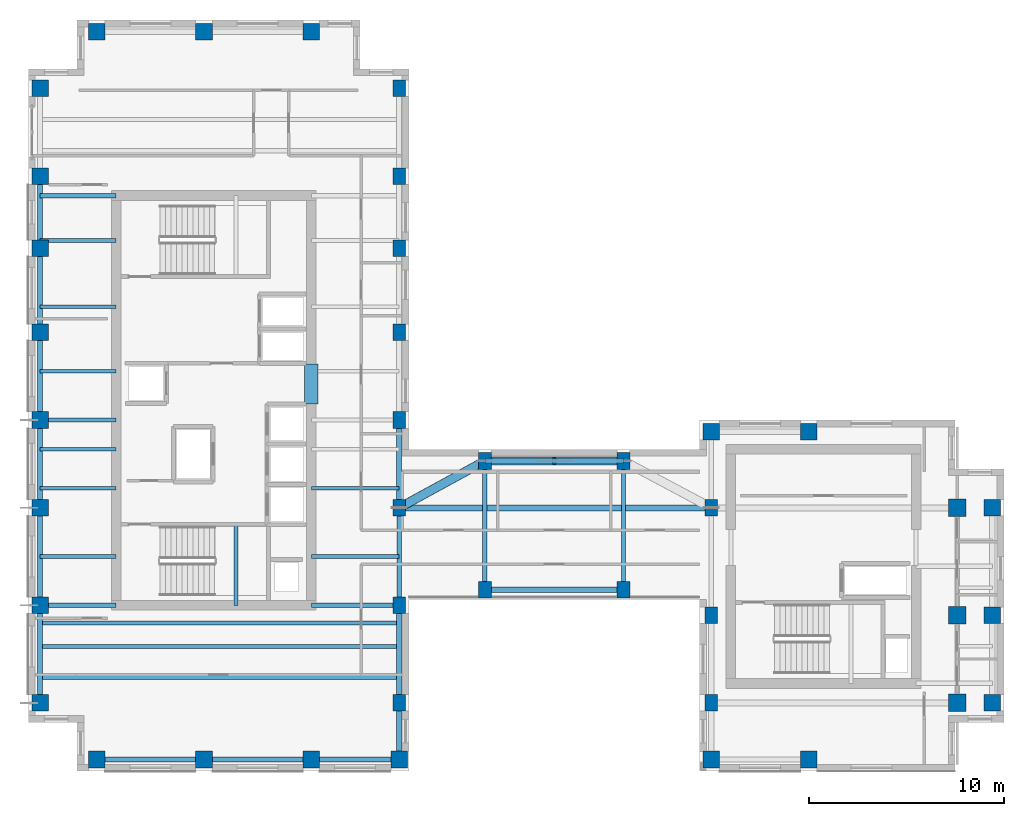
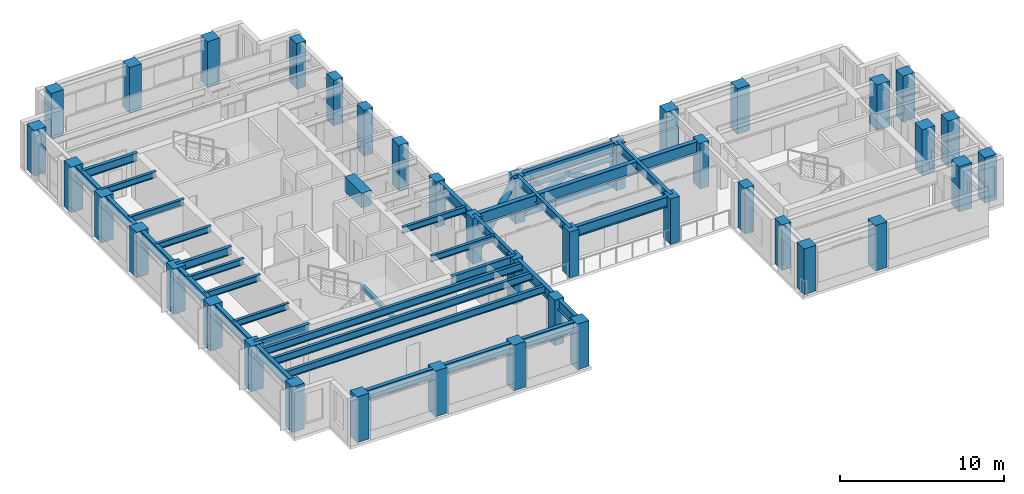
# One storey, part 1 of 13: 40 columns, 35 beams, 5 members.
"""IFC4 building model written with IfcOpenShell, lengths in metres."""

from ifc_helpers import new_model, si_unit, direction, frame, origin, origin_2d, place, context, subcontext, project, spatial, rectangle, hollow_circle, i_section, extrude, source, transform, mapped, material, material_profile, profile_set, type_object, element, save


model = new_model("IFC4")

# Units and contexts
model_context = context("Model", 3, precision=1e-05, world=origin(), true_north=direction((0.0, 1.0)))
body_context = subcontext(model_context, "Body", "Model", "MODEL_VIEW")
ifc_project = project(units=[si_unit("LENGTHUNIT", "METRE"), si_unit("AREAUNIT", "SQUARE_METRE"), si_unit("VOLUMEUNIT", "CUBIC_METRE"), si_unit("PLANEANGLEUNIT", "RADIAN"), si_unit("MASSUNIT", "GRAM", prefix="KILO")], contexts=[model_context])

# Site, building, storey
site_placement = place(None, origin())
site = spatial("IfcSite", under=ifc_project, at=site_placement, CompositionType="ELEMENT")
building_placement = place(site_placement, origin())
building = spatial("IfcBuilding", under=site, at=building_placement, Name="Kharzan Plaza Tower", CompositionType="ELEMENT")
storey_placement = place(building_placement, frame((0.0, 0.0, 244.800048828125)))
storey = spatial("IfcBuildingStorey", under=building, at=storey_placement, Name="L66", CompositionType="ELEMENT", Elevation=244.800048828125)

# Columns
ifc_material_1 = material(Name="Concrete C50/60", Category="concrete")
ifc_material_profile_1 = material_profile(ifc_material_1, rectangle(XDim=0.89990234375, YDim=0.89990234375, at=origin_2d()), Name="RC-IC900x900")
ifc_profile_set_1 = profile_set([ifc_material_profile_1], Name="Concrete C50/60")
column_type_1 = type_object("IfcColumnType", Name="COL-IC900", PredefinedType="COLUMN", material=ifc_profile_set_1)
shared_shape_1 = source(origin(), body_context, "Body", "SweptSolid", [
    extrude(rectangle(XDim=0.89990234375, YDim=0.89990234375, at=origin_2d()), origin(), (0.0, 0.0, 1.0), 3.39990234375),
])
for number, where, z_axis, x_axis, name in (
    (1, (47.60009765625, 13.5, 0.0), (0.0, 0.0, 1.0), (1.0, 0.0, 0.0), "L66 Structural Column TCBI-135"),
    (2, (47.60009765625, 3.5, 0.0), (0.0, 0.0, 1.0), (1.0, 0.0, 0.0), "L66 Structural Column TCBI-35"),
    (3, (47.60009765625, 8.0, 0.0), (0.0, 0.0, 1.0), (1.0, 0.0, 0.0), "L66 Structural Column TCBI-80"),
):
    element("IfcColumn", number, at=place(storey_placement, frame(where, z_axis=z_axis, x_axis=x_axis)), inside=storey, type_object=column_type_1, Name=name, PredefinedType="COLUMN", context=body_context, shape_type="MappedRepresentation", body=[
        mapped(shared_shape_1, transform((0.0, 0.0, 0.0), x_axis=(1.0, 0.0, 0.0), y_axis=(0.0, 1.0, 0.0), z_axis=(0.0, 0.0, 1.0))),
    ])
ifc_material_profile_2 = material_profile(ifc_material_1, rectangle(XDim=0.64990234375, YDim=0.85009765625, at=origin_2d()), Name="RC-SC850x650")
ifc_profile_set_2 = profile_set([ifc_material_profile_2], Name="Concrete C50/60")
column_type_2 = type_object("IfcColumnType", Name="COL-SC850", PredefinedType="COLUMN", material=ifc_profile_set_2)
shared_shape_2 = source(origin(), body_context, "Body", "SweptSolid", [
    extrude(rectangle(XDim=0.64990234375, YDim=0.85009765625, at=origin_2d()), origin(), (0.0, 0.0, 1.0), 3.39990234375),
])
for number, where, z_axis, x_axis, name in (
    (4, (19.0, 13.5, 0.0), (0.0, 0.0, 1.0), (1.0, 0.0, 0.0), "L66 Structural Column TCA-135"),
    (5, (19.0, 18.0, 0.0), (0.0, 0.0, 1.0), (1.0, 0.0, 0.0), "L66 Structural Column TCA-180"),
    (6, (19.0, 22.5, 0.0), (0.0, 0.0, 1.0), (1.0, 0.0, 0.0), "L66 Structural Column TCA-225"),
    (7, (19.0, 26.800048828125, 0.0), (0.0, 0.0, 1.0), (1.0, 0.0, 0.0), "L66 Structural Column TCA-268"),
    (8, (19.0, 30.5, 0.0), (0.0, 0.0, 1.0), (1.0, 0.0, 0.0), "L66 Structural Column TCA-305"),
    (9, (19.0, 3.5, 0.0), (0.0, 0.0, 1.0), (1.0, 0.0, 0.0), "L66 Structural Column TCA-35"),
    (10, (19.0, 35.0, 0.0), (0.0, 0.0, 1.0), (1.0, 0.0, 0.0), "L66 Structural Column TCA-350"),
    (11, (19.0, 8.5, 0.0), (0.0, 0.0, 1.0), (1.0, 0.0, 0.0), "L66 Structural Column TCA-85"),
    (12, (35.0, 13.5, 0.0), (0.0, 0.0, 1.0), (1.0, 0.0, 0.0), "L66 Structural Column TCBS-135"),
    (13, (35.0, 3.5, 0.0), (0.0, 0.0, 1.0), (1.0, 0.0, 0.0), "L66 Structural Column TCBS-35"),
    (14, (35.0, 8.0, 0.0), (0.0, 0.0, 1.0), (1.0, 0.0, 0.0), "L66 Structural Column TCBS-80"),
    (15, (23.39990234375, 15.89990234375, 0.0), (0.0, 0.0, 1.0), (1.0, 0.0, 0.0), "L66 Structural Column TCSP-234-159"),
    (16, (23.39990234375, 9.300048828125, 0.0), (0.0, 0.0, 1.0), (1.0, 0.0, 0.0), "L66 Structural Column TCSP-234-93"),
    (17, (30.5, 15.89990234375, 0.0), (0.0, 0.0, 1.0), (1.0, 0.0, 0.0), "L66 Structural Column TCSP-305-159"),
    (18, (30.5, 9.300048828125, 0.0), (0.0, 0.0, 1.0), (1.0, 0.0, 0.0), "L66 Structural Column TCSP-305-93"),
):
    element("IfcColumn", number, at=place(storey_placement, frame(where, z_axis=z_axis, x_axis=x_axis)), inside=storey, type_object=column_type_2, Name=name, PredefinedType="COLUMN", context=body_context, shape_type="MappedRepresentation", body=[
        mapped(shared_shape_2, transform((0.0, 0.0, 0.0), x_axis=(1.0, 0.0, 0.0), y_axis=(0.0, 1.0, 0.0), z_axis=(0.0, 0.0, 1.0))),
    ])
ifc_material_profile_3 = material_profile(ifc_material_1, rectangle(XDim=0.85009765625, YDim=0.85009765625, at=origin_2d()), Name="RC-TC850x850")
ifc_profile_set_3 = profile_set([ifc_material_profile_3], Name="Concrete C50/60")
column_type_3 = type_object("IfcColumnType", Name="COL-TC850", PredefinedType="COLUMN", material=ifc_profile_set_3)
shared_shape_3 = source(origin(), body_context, "Body", "SweptSolid", [
    extrude(rectangle(XDim=0.85009765625, YDim=0.85009765625, at=origin_2d()), origin(), (0.0, 0.0, 1.0), 3.39990234375),
])
for number, where, z_axis, x_axis, name in (
    (19, (35.0, 17.39990234375, 0.0), (0.0, 0.0, 1.0), (1.0, 0.0, 0.0), "L66 Structural Column TCBN-350-174"),
    (20, (40.0, 17.39990234375, 0.0), (0.0, 0.0, 1.0), (1.0, 0.0, 0.0), "L66 Structural Column TCBN-400-174"),
    (21, (49.39990234375, 13.5, 0.0), (0.0, 0.0, 1.0), (1.0, 0.0, 0.0), "L66 Structural Column TCE-494-135"),
    (22, (49.39990234375, 3.5, 0.0), (0.0, 0.0, 1.0), (1.0, 0.0, 0.0), "L66 Structural Column TCE-494-35"),
    (23, (49.39990234375, 8.0, 0.0), (0.0, 0.0, 1.0), (1.0, 0.0, 0.0), "L66 Structural Column TCE-494-80"),
    (24, (14.5, 37.89990234375, 0.0), (0.0, 0.0, 1.0), (1.0, 0.0, 0.0), "L66 Structural Column TCN-145-379"),
    (25, (3.5, 37.89990234375, 0.0), (0.0, 0.0, 1.0), (1.0, 0.0, 0.0), "L66 Structural Column TCN-35-379"),
    (26, (9.0, 37.89990234375, 0.0), (0.0, 0.0, 1.0), (1.0, 0.0, 0.0), "L66 Structural Column TCN-90-379"),
    (27, (14.5, 0.60009765625, 0.0), (0.0, 0.0, 1.0), (1.0, 0.0, 0.0), "L66 Structural Column TCS-145"),
    (28, (19.0, 0.60009765625, 0.0), (0.0, 0.0, 1.0), (1.0, 0.0, 0.0), "L66 Structural Column TCS-190"),
    (29, (3.5, 0.60009765625, 0.0), (0.0, 0.0, 1.0), (1.0, 0.0, 0.0), "L66 Structural Column TCS-35"),
    (30, (35.0, 0.60009765625, 0.0), (0.0, 0.0, 1.0), (1.0, 0.0, 0.0), "L66 Structural Column TCS-350"),
    (31, (40.0, 0.60009765625, 0.0), (0.0, 0.0, 1.0), (1.0, 0.0, 0.0), "L66 Structural Column TCS-400"),
    (32, (9.0, 0.60009765625, 0.0), (0.0, 0.0, 1.0), (1.0, 0.0, 0.0), "L66 Structural Column TCS-90"),
    (33, (0.60009765625, 13.5, 0.0), (0.0, 0.0, 1.0), (1.0, 0.0, 0.0), "L66 Structural Column TCW-135"),
    (34, (0.60009765625, 18.0, 0.0), (0.0, 0.0, 1.0), (1.0, 0.0, 0.0), "L66 Structural Column TCW-180"),
    (35, (0.60009765625, 22.5, 0.0), (0.0, 0.0, 1.0), (1.0, 0.0, 0.0), "L66 Structural Column TCW-225"),
    (36, (0.60009765625, 26.800048828125, 0.0), (0.0, 0.0, 1.0), (1.0, 0.0, 0.0), "L66 Structural Column TCW-268"),
    (37, (0.60009765625, 30.5, 0.0), (0.0, 0.0, 1.0), (1.0, 0.0, 0.0), "L66 Structural Column TCW-305"),
    (38, (0.60009765625, 3.5, 0.0), (0.0, 0.0, 1.0), (1.0, 0.0, 0.0), "L66 Structural Column TCW-35"),
    (39, (0.60009765625, 35.0, 0.0), (0.0, 0.0, 1.0), (1.0, 0.0, 0.0), "L66 Structural Column TCW-350"),
    (40, (0.60009765625, 8.5, 0.0), (0.0, 0.0, 1.0), (1.0, 0.0, 0.0), "L66 Structural Column TCW-85"),
):
    element("IfcColumn", number, at=place(storey_placement, frame(where, z_axis=z_axis, x_axis=x_axis)), inside=storey, type_object=column_type_3, Name=name, PredefinedType="COLUMN", context=body_context, shape_type="MappedRepresentation", body=[
        mapped(shared_shape_3, transform((0.0, 0.0, 0.0), x_axis=(1.0, 0.0, 0.0), y_axis=(0.0, 1.0, 0.0), z_axis=(0.0, 0.0, 1.0))),
    ])

# Beams
ifc_material_2 = material(Name="Concrete C60/75", Category="concrete")
ifc_material_profile_4 = material_profile(ifc_material_2, rectangle(XDim=0.699951171875, YDim=1.10009765625, at=origin_2d()), Name="RC-CB1100x700")
ifc_profile_set_4 = profile_set([ifc_material_profile_4], Name="Concrete C60/75")
beam_type_1 = type_object("IfcBeamType", Name="BM-RCCB1100", PredefinedType="LINTEL", material=ifc_profile_set_4)
shared_shape_4 = source(origin(), body_context, "Body", "SweptSolid", [
    extrude(rectangle(XDim=0.699951171875, YDim=1.10009765625, at=origin_2d()), origin(), (0.0, 0.0, 1.0), 2.059814453125),
])
beam_1_placement = place(storey_placement, frame((14.5, 18.820068359375, 2.849853515625), z_axis=(0.0, 1.0, 0.0), x_axis=(-1.0, 0.0, 0.0)))
element("IfcBeam", 41, at=beam_1_placement, inside=storey, type_object=beam_type_1, Name="L66 CORE-A RC coupling beam CB1", PredefinedType="LINTEL", context=body_context, shape_type="MappedRepresentation", body=[
    mapped(shared_shape_4, transform((0.0, 0.0, 0.0), x_axis=(1.0, 0.0, 0.0), y_axis=(0.0, 1.0, 0.0), z_axis=(0.0, 0.0, 1.0))),
])
ifc_material_3 = material(Name="Steel S355", Category="steel")
ifc_material_profile_5 = material_profile(ifc_material_3, i_section(OverallWidth=0.205078125, OverallDepth=0.35400390625, WebThickness=0.009521484375, FlangeThickness=0.016845703125, at=origin_2d()), Name="W360x79")
ifc_profile_set_5 = profile_set([ifc_material_profile_5], Name="Steel S355")
beam_type_2 = type_object("IfcBeamType", Name="BM-LNT360", PredefinedType="LINTEL", material=ifc_profile_set_5)
shared_shape_5 = source(origin(), body_context, "Body", "SweptSolid", [
    extrude(i_section(OverallWidth=0.205078125, OverallDepth=0.35400390625, WebThickness=0.009521484375, FlangeThickness=0.016845703125, at=origin_2d()), origin(), (0.0, 0.0, 1.0), 4.155029296875),
])
beam_2_placement = place(storey_placement, frame((10.64990234375, 8.5, 1.4228515625), z_axis=(0.0, 1.0, 0.0), x_axis=(-1.0, 0.0, 0.0)))
element("IfcBeam", 42, at=beam_2_placement, inside=storey, type_object=beam_type_2, Name="L66 Stair ST-1 Half-Landing Beam", PredefinedType="LINTEL", context=body_context, shape_type="MappedRepresentation", body=[
    mapped(shared_shape_5, transform((0.0, 0.0, 0.0), x_axis=(1.0, 0.0, 0.0), y_axis=(0.0, 1.0, 0.0), z_axis=(0.0, 0.0, 1.0))),
])
ifc_material_profile_6 = material_profile(ifc_material_3, i_section(OverallWidth=0.304931640625, OverallDepth=0.9189453125, WebThickness=0.017333984375, FlangeThickness=0.02783203125, at=origin_2d()), Name="W920x253")
ifc_profile_set_6 = profile_set([ifc_material_profile_6], Name="Steel S355")
beam_type_3 = type_object("IfcBeamType", Name="BM-FG920B", PredefinedType="BEAM", material=ifc_profile_set_6)
shared_shape_6 = source(origin(), body_context, "Body", "SweptSolid", [
    extrude(i_section(OverallWidth=0.304931640625, OverallDepth=0.9189453125, WebThickness=0.017333984375, FlangeThickness=0.02783203125, at=origin_2d()), origin(), (0.0, 0.0, 1.0), 16.0),
])
beam_3_placement = place(storey_placement, frame((19.0, 13.5, 2.9404296875), z_axis=(1.0, 0.0, 0.0), x_axis=(0.0, 1.0, 0.0)))
element("IfcBeam", 43, at=beam_3_placement, inside=storey, type_object=beam_type_3, Name="L66 Primary Floor Girder", PredefinedType="BEAM", context=body_context, shape_type="MappedRepresentation", body=[
    mapped(shared_shape_6, transform((0.0, 0.0, 0.0), x_axis=(1.0, 0.0, 0.0), y_axis=(0.0, 1.0, 0.0), z_axis=(0.0, 0.0, 1.0))),
])
ifc_material_profile_7 = material_profile(ifc_material_3, i_section(OverallWidth=0.2099609375, OverallDepth=0.537109375, WebThickness=0.010986328125, FlangeThickness=0.017333984375, at=origin_2d()), Name="W530x101")
ifc_profile_set_7 = profile_set([ifc_material_profile_7], Name="Steel S355")
beam_type_4 = type_object("IfcBeamType", Name="BM-JST530B", PredefinedType="JOIST", material=ifc_profile_set_7)
shared_shape_7 = source(origin(), body_context, "Body", "SweptSolid", [
    extrude(i_section(OverallWidth=0.2099609375, OverallDepth=0.537109375, WebThickness=0.010986328125, FlangeThickness=0.017333984375, at=origin_2d()), origin(), (0.0, 0.0, 1.0), 18.39990234375),
])
for number, where, z_axis, x_axis, name in (
    (44, (0.60009765625, 4.800048828125, 3.13134765625), (1.0, 0.0, 0.0), (0.0, 1.0, 0.0), "L66 Wing A Composite Joist 01"),
    (45, (0.60009765625, 6.39990234375, 3.13134765625), (1.0, 0.0, 0.0), (0.0, 1.0, 0.0), "L66 Wing A Composite Joist 02"),
    (46, (0.60009765625, 7.60009765625, 3.13134765625), (1.0, 0.0, 0.0), (0.0, 1.0, 0.0), "L66 Wing A Composite Joist 03"),
):
    element("IfcBeam", number, at=place(storey_placement, frame(where, z_axis=z_axis, x_axis=x_axis)), inside=storey, type_object=beam_type_4, Name=name, PredefinedType="JOIST", context=body_context, shape_type="MappedRepresentation", body=[
        mapped(shared_shape_7, transform((0.0, 0.0, 0.0), x_axis=(1.0, 0.0, 0.0), y_axis=(0.0, 1.0, 0.0), z_axis=(0.0, 0.0, 1.0))),
    ])
ifc_material_profile_8 = material_profile(ifc_material_3, i_section(OverallWidth=0.194091796875, OverallDepth=0.468994140625, WebThickness=0.011474609375, FlangeThickness=0.0205078125, at=origin_2d()), Name="W460x106")
ifc_profile_set_8 = profile_set([ifc_material_profile_8], Name="Steel S355")
beam_type_5 = type_object("IfcBeamType", Name="BM-JST460", PredefinedType="JOIST", material=ifc_profile_set_8)
shared_shape_8 = source(origin(), body_context, "Body", "SweptSolid", [
    extrude(i_section(OverallWidth=0.194091796875, OverallDepth=0.468994140625, WebThickness=0.011474609375, FlangeThickness=0.0205078125, at=origin_2d()), origin(), (0.0, 0.0, 1.0), 4.5),
])
for number, where, z_axis, x_axis, name in (
    (47, (14.5, 11.0, 3.16552734375), (1.0, 0.0, 0.0), (0.0, 1.0, 0.0), "L66 Wing A East Infill Joist 1"),
    (48, (14.5, 14.5, 3.16552734375), (1.0, 0.0, 0.0), (0.0, 1.0, 0.0), "L66 Wing A East Infill Joist 2"),
):
    element("IfcBeam", number, at=place(storey_placement, frame(where, z_axis=z_axis, x_axis=x_axis)), inside=storey, type_object=beam_type_5, Name=name, PredefinedType="JOIST", context=body_context, shape_type="MappedRepresentation", body=[
        mapped(shared_shape_8, transform((0.0, 0.0, 0.0), x_axis=(1.0, 0.0, 0.0), y_axis=(0.0, 1.0, 0.0), z_axis=(0.0, 0.0, 1.0))),
    ])
shared_shape_9 = source(origin(), body_context, "Body", "SweptSolid", [
    extrude(i_section(OverallWidth=0.194091796875, OverallDepth=0.468994140625, WebThickness=0.011474609375, FlangeThickness=0.0205078125, at=origin_2d()), origin(), (0.0, 0.0, 1.0), 3.89990234375),
])
for number, where, z_axis, x_axis, name in (
    (49, (0.60009765625, 11.0, 3.16552734375), (1.0, 0.0, 0.0), (0.0, 1.0, 0.0), "L66 Wing A West Infill Joist 1"),
    (50, (0.60009765625, 14.5, 3.16552734375), (1.0, 0.0, 0.0), (0.0, 1.0, 0.0), "L66 Wing A West Infill Joist 2"),
    (51, (0.60009765625, 16.5, 3.16552734375), (1.0, 0.0, 0.0), (0.0, 1.0, 0.0), "L66 Wing A West Infill Joist 3"),
    (52, (0.60009765625, 20.5, 3.16552734375), (1.0, 0.0, 0.0), (0.0, 1.0, 0.0), "L66 Wing A West Infill Joist 4"),
    (53, (0.60009765625, 23.800048828125, 3.16552734375), (1.0, 0.0, 0.0), (0.0, 1.0, 0.0), "L66 Wing A West Infill Joist 5"),
    (54, (0.60009765625, 27.199951171875, 3.16552734375), (1.0, 0.0, 0.0), (0.0, 1.0, 0.0), "L66 Wing A West Infill Joist 6"),
):
    element("IfcBeam", number, at=place(storey_placement, frame(where, z_axis=z_axis, x_axis=x_axis)), inside=storey, type_object=beam_type_5, Name=name, PredefinedType="JOIST", context=body_context, shape_type="MappedRepresentation", body=[
        mapped(shared_shape_9, transform((0.0, 0.0, 0.0), x_axis=(1.0, 0.0, 0.0), y_axis=(0.0, 1.0, 0.0), z_axis=(0.0, 0.0, 1.0))),
    ])

# Members
ifc_material_profile_9 = material_profile(ifc_material_3, hollow_circle(Radius=0.162109375, WallThickness=0.012451171875, at=origin_2d()), Name="CHS324x12.5")
ifc_profile_set_9 = profile_set([ifc_material_profile_9], Name="Steel S355")
member_type_1 = type_object("IfcMemberType", Name="MEM-TS-RING", PredefinedType="BRACE", material=ifc_profile_set_9)
shared_shape_10 = source(origin(), body_context, "Body", "SweptSolid", [
    extrude(hollow_circle(Radius=0.162109375, WallThickness=0.012451171875, at=origin_2d()), origin(), (0.0, 0.0, 1.0), 7.10009765625),
])
for number, where, z_axis, x_axis, name in (
    (55, (23.39990234375, 15.89990234375, 0.199951171875), (1.0, 0.0, 0.0), (0.0, 1.0, 0.0), "L66 Wind Turbine Slot Bottom Chord"),
    (56, (23.39990234375, 15.89990234375, 2.179931640625), (1.0, 0.0, 0.0), (0.0, 1.0, 0.0), "L66 Wind Turbine Slot Top Chord"),
):
    element("IfcMember", number, at=place(storey_placement, frame(where, z_axis=z_axis, x_axis=x_axis)), inside=storey, type_object=member_type_1, Name=name, PredefinedType="BRACE", context=body_context, shape_type="MappedRepresentation", body=[
        mapped(shared_shape_10, transform((0.0, 0.0, 0.0), x_axis=(1.0, 0.0, 0.0), y_axis=(0.0, 1.0, 0.0), z_axis=(0.0, 0.0, 1.0))),
    ])

# Beams
ifc_material_profile_10 = material_profile(ifc_material_3, i_section(OverallWidth=0.22900390625, OverallDepth=0.612060546875, WebThickness=0.011962890625, FlangeThickness=0.01953125, at=origin_2d()), Name="W610x125")
ifc_profile_set_10 = profile_set([ifc_material_profile_10], Name="Steel S355")
beam_type_6 = type_object("IfcBeamType", Name="BM-FG610B", PredefinedType="BEAM", material=ifc_profile_set_10)
shared_shape_11 = source(origin(), body_context, "Body", "SweptSolid", [
    extrude(i_section(OverallWidth=0.22900390625, OverallDepth=0.612060546875, WebThickness=0.011962890625, FlangeThickness=0.01953125, at=origin_2d()), origin(), (0.0, 0.0, 1.0), 4.5),
])
beam_4_placement = place(storey_placement, frame((14.5, 8.5, 3.093994140625), z_axis=(1.0, 0.0, 0.0), x_axis=(0.0, 1.0, 0.0)))
element("IfcBeam", 57, at=beam_4_placement, inside=storey, type_object=beam_type_6, Name="L66 Core-A East Floor Girder 1", PredefinedType="BEAM", context=body_context, shape_type="MappedRepresentation", body=[
    mapped(shared_shape_11, transform((0.0, 0.0, 0.0), x_axis=(1.0, 0.0, 0.0), y_axis=(0.0, 1.0, 0.0), z_axis=(0.0, 0.0, 1.0))),
])
shared_shape_12 = source(origin(), body_context, "Body", "SweptSolid", [
    extrude(i_section(OverallWidth=0.22900390625, OverallDepth=0.612060546875, WebThickness=0.011962890625, FlangeThickness=0.01953125, at=origin_2d()), origin(), (0.0, 0.0, 1.0), 3.89990234375),
])
for number, where, z_axis, x_axis, name in (
    (58, (0.60009765625, 8.5, 3.093994140625), (1.0, 0.0, 0.0), (0.0, 1.0, 0.0), "L66 Core-A West Floor Girder 1"),
    (59, (0.60009765625, 18.0, 3.093994140625), (1.0, 0.0, 0.0), (0.0, 1.0, 0.0), "L66 Core-A West Floor Girder 2"),
    (60, (0.60009765625, 29.5, 3.093994140625), (1.0, 0.0, 0.0), (0.0, 1.0, 0.0), "L66 Core-A West Floor Girder 3"),
):
    element("IfcBeam", number, at=place(storey_placement, frame(where, z_axis=z_axis, x_axis=x_axis)), inside=storey, type_object=beam_type_6, Name=name, PredefinedType="BEAM", context=body_context, shape_type="MappedRepresentation", body=[
        mapped(shared_shape_12, transform((0.0, 0.0, 0.0), x_axis=(1.0, 0.0, 0.0), y_axis=(0.0, 1.0, 0.0), z_axis=(0.0, 0.0, 1.0))),
    ])
shared_shape_13 = source(origin(), body_context, "Body", "SweptSolid", [
    extrude(i_section(OverallWidth=0.22900390625, OverallDepth=0.612060546875, WebThickness=0.011962890625, FlangeThickness=0.01953125, at=origin_2d()), origin(), (0.0, 0.0, 1.0), 5.0),
])
beam_5_placement = place(storey_placement, frame((19.0, 8.5, 3.093994140625), z_axis=(0.0, 1.0, 0.0), x_axis=(-1.0, 0.0, 0.0)))
element("IfcBeam", 61, at=beam_5_placement, inside=storey, type_object=beam_type_6, Name="L66 Interior Frame Girder", PredefinedType="BEAM", context=body_context, shape_type="MappedRepresentation", body=[
    mapped(shared_shape_13, transform((0.0, 0.0, 0.0), x_axis=(1.0, 0.0, 0.0), y_axis=(0.0, 1.0, 0.0), z_axis=(0.0, 0.0, 1.0))),
])
shared_shape_14 = source(origin(), body_context, "Body", "SweptSolid", [
    extrude(i_section(OverallWidth=0.22900390625, OverallDepth=0.612060546875, WebThickness=0.011962890625, FlangeThickness=0.01953125, at=origin_2d()), origin(), (0.0, 0.0, 1.0), 6.599853515625),
])
for number, where, z_axis, x_axis, name in (
    (62, (23.39990234375, 9.300048828125, 3.093994140625), (0.0, 1.0, 0.0), (-1.0, 0.0, 0.0), "L66 Interior Frame Girder"),
    (63, (30.5, 9.300048828125, 3.093994140625), (0.0, 1.0, 0.0), (-1.0, 0.0, 0.0), "L66 Interior Frame Girder"),
):
    element("IfcBeam", number, at=place(storey_placement, frame(where, z_axis=z_axis, x_axis=x_axis)), inside=storey, type_object=beam_type_6, Name=name, PredefinedType="BEAM", context=body_context, shape_type="MappedRepresentation", body=[
        mapped(shared_shape_14, transform((0.0, 0.0, 0.0), x_axis=(1.0, 0.0, 0.0), y_axis=(0.0, 1.0, 0.0), z_axis=(0.0, 0.0, 1.0))),
    ])
ifc_material_profile_11 = material_profile(ifc_material_3, i_section(OverallWidth=0.26708984375, OverallDepth=0.76611328125, WebThickness=0.014892578125, FlangeThickness=0.023681640625, at=origin_2d()), Name="W760x185")
ifc_profile_set_11 = profile_set([ifc_material_profile_11], Name="Steel S355")
beam_type_7 = type_object("IfcBeamType", Name="BM-SP760B", PredefinedType="SPANDREL", material=ifc_profile_set_11)
shared_shape_15 = source(origin(), body_context, "Body", "SweptSolid", [
    extrude(i_section(OverallWidth=0.26708984375, OverallDepth=0.76611328125, WebThickness=0.014892578125, FlangeThickness=0.023681640625, at=origin_2d()), origin(), (0.0, 0.0, 1.0), 5.0),
])
for number, where, z_axis, x_axis, name in (
    (64, (0.60009765625, 3.5, 3.016845703125), (0.0, 1.0, 0.0), (-1.0, 0.0, 0.0), "L66 Perimeter Tube Spandrel"),
    (65, (0.60009765625, 8.5, 3.016845703125), (0.0, 1.0, 0.0), (-1.0, 0.0, 0.0), "L66 Perimeter Tube Spandrel"),
    (66, (19.0, 3.5, 3.016845703125), (0.0, 1.0, 0.0), (-1.0, 0.0, 0.0), "L66 Perimeter Tube Spandrel"),
):
    element("IfcBeam", number, at=place(storey_placement, frame(where, z_axis=z_axis, x_axis=x_axis)), inside=storey, type_object=beam_type_7, Name=name, PredefinedType="SPANDREL", context=body_context, shape_type="MappedRepresentation", body=[
        mapped(shared_shape_15, transform((0.0, 0.0, 0.0), x_axis=(1.0, 0.0, 0.0), y_axis=(0.0, 1.0, 0.0), z_axis=(0.0, 0.0, 1.0))),
    ])
shared_shape_16 = source(origin(), body_context, "Body", "SweptSolid", [
    extrude(i_section(OverallWidth=0.26708984375, OverallDepth=0.76611328125, WebThickness=0.014892578125, FlangeThickness=0.023681640625, at=origin_2d()), origin(), (0.0, 0.0, 1.0), 4.5),
])
for number, where, z_axis, x_axis, name in (
    (67, (0.60009765625, 13.5, 3.016845703125), (0.0, 1.0, 0.0), (-1.0, 0.0, 0.0), "L66 Perimeter Tube Spandrel"),
    (68, (0.60009765625, 18.0, 3.016845703125), (0.0, 1.0, 0.0), (-1.0, 0.0, 0.0), "L66 Perimeter Tube Spandrel"),
    (69, (19.0, 13.5, 3.016845703125), (0.0, 1.0, 0.0), (-1.0, 0.0, 0.0), "L66 Perimeter Tube Spandrel"),
    (70, (14.5, 0.60009765625, 3.016845703125), (1.0, 0.0, 0.0), (0.0, 1.0, 0.0), "L66 Perimeter Tube Spandrel"),
):
    element("IfcBeam", number, at=place(storey_placement, frame(where, z_axis=z_axis, x_axis=x_axis)), inside=storey, type_object=beam_type_7, Name=name, PredefinedType="SPANDREL", context=body_context, shape_type="MappedRepresentation", body=[
        mapped(shared_shape_16, transform((0.0, 0.0, 0.0), x_axis=(1.0, 0.0, 0.0), y_axis=(0.0, 1.0, 0.0), z_axis=(0.0, 0.0, 1.0))),
    ])
shared_shape_17 = source(origin(), body_context, "Body", "SweptSolid", [
    extrude(i_section(OverallWidth=0.26708984375, OverallDepth=0.76611328125, WebThickness=0.014892578125, FlangeThickness=0.023681640625, at=origin_2d()), origin(), (0.0, 0.0, 1.0), 4.300048828125),
])
beam_6_placement = place(storey_placement, frame((0.60009765625, 22.5, 3.016845703125), z_axis=(0.0, 1.0, 0.0), x_axis=(-1.0, 0.0, 0.0)))
element("IfcBeam", 71, at=beam_6_placement, inside=storey, type_object=beam_type_7, Name="L66 Perimeter Tube Spandrel", PredefinedType="SPANDREL", context=body_context, shape_type="MappedRepresentation", body=[
    mapped(shared_shape_17, transform((0.0, 0.0, 0.0), x_axis=(1.0, 0.0, 0.0), y_axis=(0.0, 1.0, 0.0), z_axis=(0.0, 0.0, 1.0))),
])
shared_shape_18 = source(origin(), body_context, "Body", "SweptSolid", [
    extrude(i_section(OverallWidth=0.26708984375, OverallDepth=0.76611328125, WebThickness=0.014892578125, FlangeThickness=0.023681640625, at=origin_2d()), origin(), (0.0, 0.0, 1.0), 3.699951171875),
])
beam_7_placement = place(storey_placement, frame((0.60009765625, 26.800048828125, 3.016845703125), z_axis=(0.0, 1.0, 0.0), x_axis=(-1.0, 0.0, 0.0)))
element("IfcBeam", 72, at=beam_7_placement, inside=storey, type_object=beam_type_7, Name="L66 Perimeter Tube Spandrel", PredefinedType="SPANDREL", context=body_context, shape_type="MappedRepresentation", body=[
    mapped(shared_shape_18, transform((0.0, 0.0, 0.0), x_axis=(1.0, 0.0, 0.0), y_axis=(0.0, 1.0, 0.0), z_axis=(0.0, 0.0, 1.0))),
])
shared_shape_19 = source(origin(), body_context, "Body", "SweptSolid", [
    extrude(i_section(OverallWidth=0.26708984375, OverallDepth=0.76611328125, WebThickness=0.014892578125, FlangeThickness=0.023681640625, at=origin_2d()), origin(), (0.0, 0.0, 1.0), 2.89990234375),
])
beam_8_placement = place(storey_placement, frame((19.0, 0.60009765625, 3.016845703125), z_axis=(0.0, 1.0, 0.0), x_axis=(-1.0, 0.0, 0.0)))
element("IfcBeam", 73, at=beam_8_placement, inside=storey, type_object=beam_type_7, Name="L66 Perimeter Tube Spandrel", PredefinedType="SPANDREL", context=body_context, shape_type="MappedRepresentation", body=[
    mapped(shared_shape_19, transform((0.0, 0.0, 0.0), x_axis=(1.0, 0.0, 0.0), y_axis=(0.0, 1.0, 0.0), z_axis=(0.0, 0.0, 1.0))),
])
shared_shape_20 = source(origin(), body_context, "Body", "SweptSolid", [
    extrude(i_section(OverallWidth=0.26708984375, OverallDepth=0.76611328125, WebThickness=0.014892578125, FlangeThickness=0.023681640625, at=origin_2d()), origin(), (0.0, 0.0, 1.0), 5.5),
])
for number, where, z_axis, x_axis, name in (
    (74, (3.5, 0.60009765625, 3.016845703125), (1.0, 0.0, 0.0), (0.0, 1.0, 0.0), "L66 Perimeter Tube Spandrel"),
    (75, (9.0, 0.60009765625, 3.016845703125), (1.0, 0.0, 0.0), (0.0, 1.0, 0.0), "L66 Perimeter Tube Spandrel"),
):
    element("IfcBeam", number, at=place(storey_placement, frame(where, z_axis=z_axis, x_axis=x_axis)), inside=storey, type_object=beam_type_7, Name=name, PredefinedType="SPANDREL", context=body_context, shape_type="MappedRepresentation", body=[
        mapped(shared_shape_20, transform((0.0, 0.0, 0.0), x_axis=(1.0, 0.0, 0.0), y_axis=(0.0, 1.0, 0.0), z_axis=(0.0, 0.0, 1.0))),
    ])
shared_shape_21 = source(origin(), body_context, "Body", "SweptSolid", [
    extrude(i_section(OverallWidth=0.26708984375, OverallDepth=0.76611328125, WebThickness=0.014892578125, FlangeThickness=0.023681640625, at=origin_2d()), origin(), (0.0, 0.0, 1.0), 7.10009765625),
])
for number, where, z_axis, x_axis, name in (
    (76, (23.39990234375, 9.300048828125, 3.016845703125), (1.0, 0.0, 0.0), (0.0, 1.0, 0.0), "L66 Perimeter Tube Spandrel"),
    (77, (23.39990234375, 15.89990234375, 3.016845703125), (1.0, 0.0, 0.0), (0.0, 1.0, 0.0), "L66 Perimeter Tube Spandrel"),
):
    element("IfcBeam", number, at=place(storey_placement, frame(where, z_axis=z_axis, x_axis=x_axis)), inside=storey, type_object=beam_type_7, Name=name, PredefinedType="SPANDREL", context=body_context, shape_type="MappedRepresentation", body=[
        mapped(shared_shape_21, transform((0.0, 0.0, 0.0), x_axis=(1.0, 0.0, 0.0), y_axis=(0.0, 1.0, 0.0), z_axis=(0.0, 0.0, 1.0))),
    ])

# Members
ifc_material_profile_12 = material_profile(ifc_material_3, hollow_circle(Radius=0.202880859375, WallThickness=0.01611328125, at=origin_2d()), Name="CHS406x16")
ifc_profile_set_12 = profile_set([ifc_material_profile_12], Name="Steel S355")
member_type_2 = type_object("IfcMemberType", Name="MEM-TS-STRUT", PredefinedType="STRUT", material=ifc_profile_set_12)
shared_shape_22 = source(origin(), body_context, "Body", "SweptSolid", [
    extrude(hollow_circle(Radius=0.202880859375, WallThickness=0.01611328125, at=origin_2d()), origin(), (0.0, 0.0, 1.0), 4.06494140625),
])
for number, where, z_axis, x_axis, name in (
    (78, (23.39990234375, 15.89990234375, 0.199951171875), (0.873348642606, 0.0, 0.487095625579), (0.0, 1.0, 0.0), "L66 Wind Turbine Slot Rotor Strut 1"),
    (79, (30.5, 15.89990234375, 0.199951171875), (-0.873348642606, 0.0, 0.487095625579), (0.0, -1.0, 0.0), "L66 Wind Turbine Slot Rotor Strut 2"),
):
    element("IfcMember", number, at=place(storey_placement, frame(where, z_axis=z_axis, x_axis=x_axis)), inside=storey, type_object=member_type_2, Name=name, PredefinedType="STRUT", context=body_context, shape_type="MappedRepresentation", body=[
        mapped(shared_shape_22, transform((0.0, 0.0, 0.0), x_axis=(1.0, 0.0, 0.0), y_axis=(0.0, 1.0, 0.0), z_axis=(0.0, 0.0, 1.0))),
    ])
ifc_material_profile_13 = material_profile(ifc_material_3, hollow_circle(Radius=0.228515625, WallThickness=0.01611328125, at=origin_2d()), Name="CHS457x16")
ifc_profile_set_13 = profile_set([ifc_material_profile_13], Name="Steel S355")
member_type_3 = type_object("IfcMemberType", Name="MEM-WP-STRUT", PredefinedType="STRUT", material=ifc_profile_set_13)
shared_shape_23 = source(origin(), body_context, "Body", "SweptSolid", [
    extrude(hollow_circle(Radius=0.228515625, WallThickness=0.01611328125, at=origin_2d()), origin(), (0.0, 0.0, 1.0), 5.882568359375),
])
member_placement = place(storey_placement, frame((19.0, 13.5, 0.199951171875), z_axis=(0.747945820325, 0.407962901664, 0.52358697532), x_axis=(-0.47884530469, 0.877899296147, 0.0)))
element("IfcMember", 80, at=member_placement, inside=storey, type_object=member_type_3, Name="L66 Wind Portal Frame V-Strut West", PredefinedType="STRUT", context=body_context, shape_type="MappedRepresentation", body=[
    mapped(shared_shape_23, transform((0.0, 0.0, 0.0), x_axis=(1.0, 0.0, 0.0), y_axis=(0.0, 1.0, 0.0), z_axis=(0.0, 0.0, 1.0))),
])

save(model, "model.ifc")
